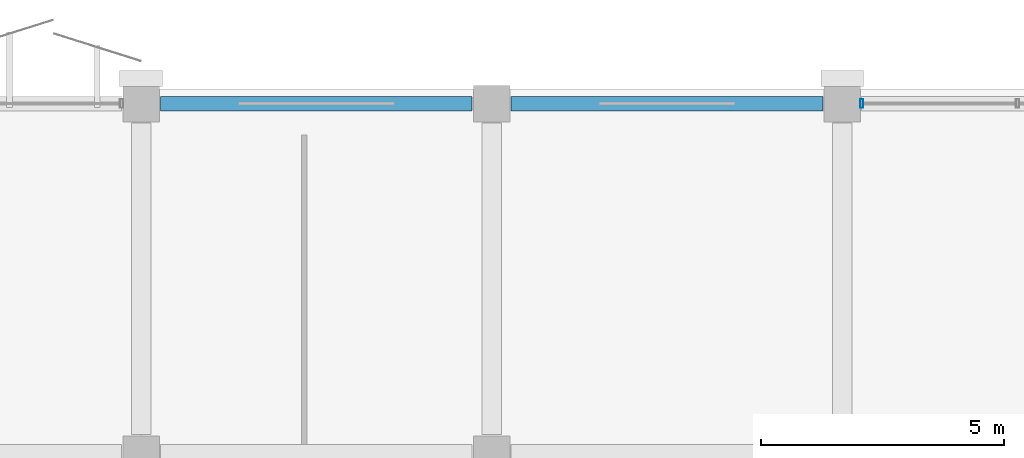
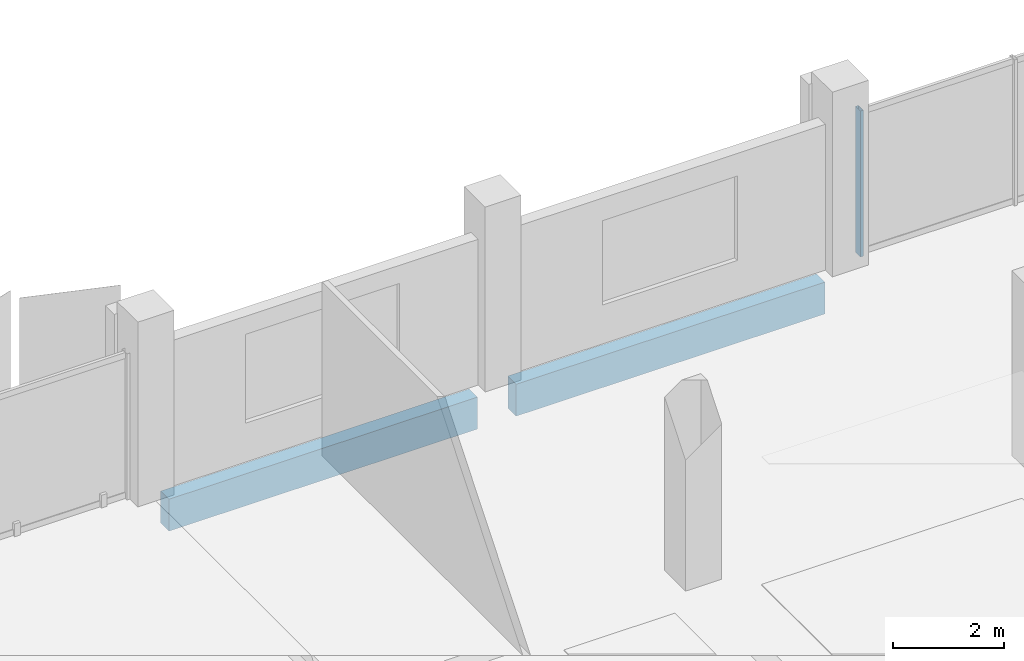
# One storey, part 68 of 107: 2 beams, 1 member, 1 element without a shape of its own.
"""IFC4 building model written with IfcOpenShell, lengths in metres."""

from ifc_helpers import new_model, si_unit, direction, frame, origin, origin_2d, place, context, subcontext, project, spatial, rectangle, hollow_rectangle, extrude, material, layer, layer_set, material_profile, profile_set, type_object, element, aggregate, save


model = new_model("IFC4")

# Units and contexts
model_context = context("Model", 3, precision=1e-05, world=origin(), true_north=direction((0.0, 1.0)))
body_context = subcontext(model_context, "Body", "Model", "MODEL_VIEW")
ifc_project = project(units=[si_unit("LENGTHUNIT", "METRE"), si_unit("AREAUNIT", "SQUARE_METRE"), si_unit("VOLUMEUNIT", "CUBIC_METRE"), si_unit("PLANEANGLEUNIT", "RADIAN"), si_unit("MASSUNIT", "GRAM", prefix="KILO")], contexts=[model_context])

# Site, building, storey
site_placement = place(None, origin())
site = spatial("IfcSite", under=ifc_project, at=site_placement, CompositionType="ELEMENT")
building_placement = place(site_placement, origin())
building = spatial("IfcBuilding", under=site, at=building_placement, Name="Kangsadwip Square Police Headquarters", CompositionType="ELEMENT")
storey_placement = place(building_placement, frame((0.0, 0.0, 5.39990234375)))
storey = spatial("IfcBuildingStorey", under=building, at=storey_placement, Name="L01", CompositionType="ELEMENT", Elevation=5.39990234375)

# Curtain wall, member
ifc_material_1 = material(Name="Thermally broken anodised aluminium AW-6063-T6", Category="aluminium")
ifc_layer = layer(ifc_material_1, 0.159912109375)
ifc_layer_set = layer_set([ifc_layer], Name="Thermally broken anodised aluminium AW-6063-T6")
curtain_wall_type = type_object("IfcCurtainWallType", Name="UnitisedCw6460x3200", PredefinedType="NOTDEFINED", material=ifc_layer_set)
curtain_wall_placement = place(storey_placement, origin())
curtain_wall = element("IfcCurtainWall", 1, at=curtain_wall_placement, inside=storey, type_object=curtain_wall_type, Name="Curtain Wall CW-L01-1588-1152", PredefinedType="NOTDEFINED")
ifc_material_2 = material(Name="Thermally broken anodised aluminium AW-6063-T6", Category="aluminium")
ifc_material_profile_1 = material_profile(ifc_material_2, hollow_rectangle(XDim=0.06494140625, YDim=0.179931640625, WallThickness=0.00390625, at=origin_2d()), Name="CWM 180X65X4")
ifc_profile_set_1 = profile_set([ifc_material_profile_1], Name="Thermally broken anodised aluminium AW-6063-T6")
member_type = type_object("IfcMemberType", Name="CwMullion160x65", PredefinedType="MULLION", material=ifc_profile_set_1)
member_placement = place(storey_placement, frame((158.802490234375, 115.199951171875, 0.0), z_axis=(0.0, 0.0, 1.0), x_axis=(1.0, 0.0, 0.0)))
member = element("IfcMember", 2, at=member_placement, type_object=member_type, Name="CW-26 mullion 1", PredefinedType="MULLION", context=body_context, shape_type="SweptSolid", body=[
    extrude(hollow_rectangle(XDim=0.06494140625, YDim=0.179931640625, WallThickness=0.00390625, at=origin_2d()), origin(), (0.0, 0.0, 1.0), 3.2001953125),
])
aggregate(curtain_wall, [member])

# Beams
ifc_material_3 = material(Name="Concrete M40 (40 MPa)", Category="concrete")
ifc_material_profile_2 = material_profile(ifc_material_3, rectangle(XDim=0.300048828125, YDim=0.699951171875, at=origin_2d()), Name="RC SPN 700X300")
ifc_profile_set_2 = profile_set([ifc_material_profile_2], Name="Concrete M40 (40 MPa)")
beam_type = type_object("IfcBeamType", Name="RcSpandrel700x300", PredefinedType="SPANDREL", material=ifc_profile_set_2)
beam_1_placement = place(storey_placement, frame((144.39990234375, 115.199951171875, -0.58984375), z_axis=(1.0, 0.0, 0.0), x_axis=(0.0, 1.0, 0.0)))
element("IfcBeam", 3, at=beam_1_placement, inside=storey, type_object=beam_type, Name="Beam BM-L01-X-20-16", PredefinedType="SPANDREL", context=body_context, shape_type="SweptSolid", body=[
    extrude(rectangle(XDim=0.300048828125, YDim=0.699951171875, at=origin_2d()), origin(), (0.0, 0.0, 1.0), 6.400146484375),
])
beam_2_placement = place(storey_placement, frame((151.60009765625, 115.199951171875, -0.58984375), z_axis=(1.0, 0.0, 0.0), x_axis=(0.0, 1.0, 0.0)))
element("IfcBeam", 4, at=beam_2_placement, inside=storey, type_object=beam_type, Name="Beam BM-L01-X-21-16", PredefinedType="SPANDREL", context=body_context, shape_type="SweptSolid", body=[
    extrude(rectangle(XDim=0.300048828125, YDim=0.699951171875, at=origin_2d()), origin(), (0.0, 0.0, 1.0), 6.39990234375),
])

save(model, "model.ifc")
